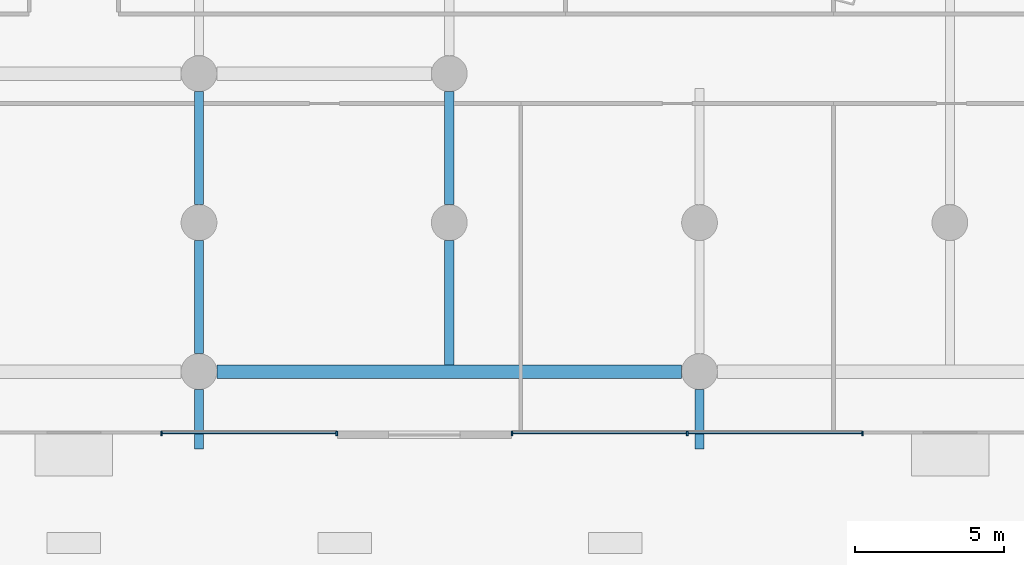
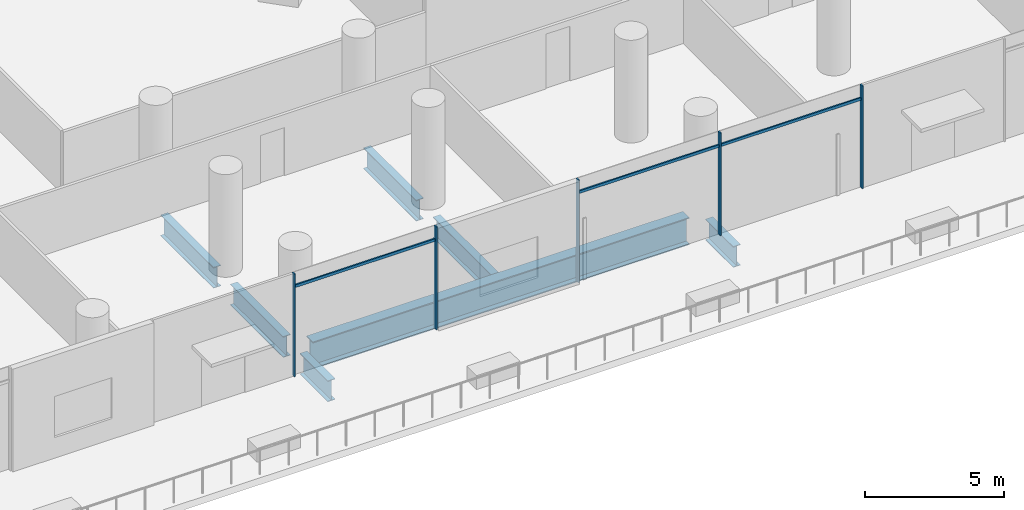
# One storey, part 9 of 43: 8 members, 7 beams, 1 element without a shape of its own.
"""IFC4 building model written with IfcOpenShell, lengths in metres."""

import ifcopenshell
import ifcopenshell.guid

model = None  # the IFC model being written
_history = None  # IfcOwnerHistory: only IFC2X3 demands one
_inside = {}  # id of a spatial element -> (the spatial element, [elements in it])
_under = {}  # id of a project, library or spatial element -> (it, [spatial elements below it])
_declared = {}  # id of a project -> (the project, [libraries it declares])
_typed = {}  # id of a type object -> (the type object, [elements of that type])
_made_of = {}  # id of a material, layer set ... -> (it, [elements and type objects made of it])


def new_model(schema):
    """Start an empty IFC model of exactly this schema.

    Asked for "IFC4X3", IfcOpenShell would pick the latest addendum, in which some entities
    have other attributes; the version numbers below select the first issue.
    IFC2X3 requires an IfcOwnerHistory on every rooted entity: one is made here for all.
    """
    global model, _history
    if schema == "IFC4X3":
        model = ifcopenshell.file(schema_version=(4, 3, 0, 0))
    else:
        model = ifcopenshell.file(schema=schema)
    _inside.clear()
    _under.clear()
    _declared.clear()
    _typed.clear()
    _made_of.clear()
    _history = None
    if model.schema == "IFC2X3":
        org = make("IfcOrganization", Name="unknown")
        user = make(
            "IfcPersonAndOrganization",
            ThePerson=make("IfcPerson", FamilyName="unknown"),
            TheOrganization=org,
        )
        app = make(
            "IfcApplication",
            ApplicationDeveloper=org,
            Version="unknown",
            ApplicationFullName="unknown",
            ApplicationIdentifier="unknown",
        )
        _history = make(
            "IfcOwnerHistory",
            OwningUser=user,
            OwningApplication=app,
            ChangeAction="ADDED",
            CreationDate=0,
        )
    return model


def make(cls, **values):
    """One entity of the class cls with the attributes given. An attribute that is None is left unset."""
    return model.create_entity(
        cls, **{name: value for name, value in values.items() if value is not None}
    )


def rooted(cls, **values):
    """An entity with a GlobalId (a new one), such as an element, a storey or a relation."""
    return make(cls, GlobalId=ifcopenshell.guid.new(), OwnerHistory=_history, **values)


def si_unit(unit_type, name, prefix=None):
    """IfcSIUnit, for example si_unit("LENGTHUNIT", "METRE", prefix="MILLI")."""
    return make("IfcSIUnit", UnitType=unit_type, Prefix=prefix, Name=name)


def assignment(units):
    """IfcUnitAssignment: the units of a project."""
    return None if units is None else make("IfcUnitAssignment", Units=units)


def point(xyz):
    """IfcCartesianPoint."""
    return None if xyz is None else make("IfcCartesianPoint", Coordinates=xyz)


def direction(xyz):
    """IfcDirection."""
    return None if xyz is None else make("IfcDirection", DirectionRatios=xyz)


def frame(location, z_axis=None, x_axis=None):
    """IfcAxis2Placement3D, a coordinate frame: its origin and axes. An axis left out is left unset."""
    return make(
        "IfcAxis2Placement3D",
        Location=point(location),
        Axis=direction(z_axis),
        RefDirection=direction(x_axis),
    )


def frame_2d(location, x_axis=None):
    """IfcAxis2Placement2D, a coordinate frame in the plane: its origin and x axis."""
    return make(
        "IfcAxis2Placement2D", Location=point(location), RefDirection=direction(x_axis)
    )


def origin():
    """The frame at (0, 0, 0) with its axes left unset."""
    return frame((0.0, 0.0, 0.0))


def origin_2d():
    """The frame at (0, 0) in the plane with its x axis left unset."""
    return frame_2d((0.0, 0.0))


def place(relative_to, where):
    """IfcLocalPlacement: puts the frame where relative to a parent placement (None: the world)."""
    return make(
        "IfcLocalPlacement", PlacementRelTo=relative_to, RelativePlacement=where
    )


def context(
    kind, dimensions, precision=None, world=None, true_north=None, identifier=None
):
    """IfcGeometricRepresentationContext, for example the 3D "Model" context."""
    return make(
        "IfcGeometricRepresentationContext",
        ContextIdentifier=identifier,
        ContextType=kind,
        CoordinateSpaceDimension=dimensions,
        Precision=precision,
        WorldCoordinateSystem=world,
        TrueNorth=true_north,
    )


def subcontext(parent, identifier, kind, view, scale=None):
    """IfcGeometricRepresentationSubContext, for example "Body" below "Model"."""
    return make(
        "IfcGeometricRepresentationSubContext",
        ContextIdentifier=identifier,
        ContextType=kind,
        ParentContext=parent,
        TargetScale=scale,
        TargetView=view,
    )


def project(units=None, contexts=None):
    """IfcProject with its units and contexts."""
    return rooted(
        "IfcProject",
        Name="project",
        RepresentationContexts=contexts,
        UnitsInContext=assignment(units),
    )


def spatial(cls, under=None, at=None, **own):
    """A site, building, storey or space (cls), placed at a placement, below another one or the project."""
    s = rooted(cls, ObjectPlacement=at, **own)
    if under is not None:
        _under.setdefault(under.id(), (under, []))[1].append(s)
    return s


def profile(cls, at=None, kind="AREA", **sizes):
    """A parametric profile (cls). Its sizes go by their IFC names, for example OverallWidth=200.0."""
    return make(cls, ProfileType=kind, Position=at, **sizes)


def rectangle(**sizes):
    """IfcRectangleProfileDef."""
    return profile("IfcRectangleProfileDef", **sizes)


def i_section(**sizes):
    """IfcIShapeProfileDef."""
    return profile("IfcIShapeProfileDef", **sizes)


def extrude(swept, where, along, depth):
    """IfcExtrudedAreaSolid: the profile swept, set in the frame where, extruded along a direction by depth."""
    return make(
        "IfcExtrudedAreaSolid",
        SweptArea=swept,
        Position=where,
        ExtrudedDirection=direction(along),
        Depth=depth,
    )


def shape(context_of_items, identifier, shape_type, items):
    """IfcShapeRepresentation: the items that make up one representation, for example the "Body"."""
    return make(
        "IfcShapeRepresentation",
        ContextOfItems=context_of_items,
        RepresentationIdentifier=identifier,
        RepresentationType=shape_type,
        Items=items,
    )


def material(Name=None, Category=None):
    """IfcMaterial."""
    return make("IfcMaterial", Name=Name, Category=Category)


def material_profile(
    of_material, cross_section, Name=None, Category=None, Priority=None
):
    """IfcMaterialProfile: a cross section and its material."""
    return make(
        "IfcMaterialProfile",
        Name=Name,
        Material=of_material,
        Profile=cross_section,
        Priority=Priority,
        Category=Category,
    )


def profile_set(profiles, Name=None, composite=None):
    """IfcMaterialProfileSet."""
    return make(
        "IfcMaterialProfileSet",
        Name=Name,
        MaterialProfiles=profiles,
        CompositeProfile=composite,
    )


def made_of(thing, what):
    """Note that an element or type object is made of a material, layer set ...; save() writes the relation."""
    if what is not None:
        _made_of.setdefault(what.id(), (what, []))[1].append(thing)
    return thing


def type_object(cls, material=None, **own):
    """A type object (cls), such as IfcWallType, which elements share."""
    return made_of(rooted(cls, **own), material)


def element(
    cls,
    number,
    at=None,
    inside=None,
    cuts=None,
    type_object=None,
    material=None,
    context=None,
    identifier="Body",
    shape_type=None,
    held_by="IfcProductDefinitionShape",
    body=None,
    shapes=None,
    **own,
):
    """One element of the class cls, such as IfcWall. Its Tag is "e" and its number.

    at: its placement. inside: the storey or other place that contains it. cuts: it is an
    opening in that element (IfcRelVoidsElement). A single representation is given by context,
    identifier, shape_type and body (its items); several are given by shapes. held_by: the class
    of the entity that holds the representations. save() writes the other relations.
    """
    e = rooted(cls, Tag="e%d" % number, ObjectPlacement=at, **own)
    if body is not None:
        shapes = [shape(context, identifier, shape_type, body)]
    if shapes is not None:
        e.Representation = make(held_by, Representations=shapes)
    if inside is not None:
        _inside.setdefault(inside.id(), (inside, []))[1].append(e)
    if cuts is not None:
        rooted(
            "IfcRelVoidsElement", RelatingBuildingElement=cuts, RelatedOpeningElement=e
        )
    if type_object is not None:
        _typed.setdefault(type_object.id(), (type_object, []))[1].append(e)
    return made_of(e, material)


def aggregate(whole, parts):
    """IfcRelAggregates: a whole, such as a stair, and the parts it consists of."""
    return rooted("IfcRelAggregates", RelatingObject=whole, RelatedObjects=parts)


def save(model, path):
    """Write the relations noted so far, then the file.

    IfcRelAggregates (storeys below a building ...), IfcRelContainedInSpatialStructure (elements
    in a storey), IfcRelDefinesByType, IfcRelAssociatesMaterial and IfcRelDeclares: one each for
    every whole, place, type object, material and project.
    """
    for whole, parts in _under.values():
        aggregate(whole, parts)
    for where, things in _inside.values():
        rooted(
            "IfcRelContainedInSpatialStructure",
            RelatedElements=things,
            RelatingStructure=where,
        )
    for kind, things in _typed.values():
        rooted("IfcRelDefinesByType", RelatedObjects=things, RelatingType=kind)
    for what, things in _made_of.values():
        rooted("IfcRelAssociatesMaterial", RelatedObjects=things, RelatingMaterial=what)
    for by, libraries in _declared.values():
        rooted("IfcRelDeclares", RelatingContext=by, RelatedDefinitions=libraries)
    model.write(path)


model = new_model("IFC4")

# Units and contexts
model_context = context("Model", 3, precision=1e-05, world=origin(), true_north=direction((0.0, 1.0)))
body_context = subcontext(model_context, "Body", "Model", "MODEL_VIEW")
ifc_project = project(units=[si_unit("LENGTHUNIT", "METRE"), si_unit("AREAUNIT", "SQUARE_METRE"), si_unit("VOLUMEUNIT", "CUBIC_METRE"), si_unit("PLANEANGLEUNIT", "RADIAN"), si_unit("MASSUNIT", "GRAM", prefix="KILO")], contexts=[model_context])

# Site, building, storey
site_placement = place(None, origin())
site = spatial("IfcSite", under=ifc_project, at=site_placement, CompositionType="ELEMENT")
building_placement = place(site_placement, origin())
building = spatial("IfcBuilding", under=site, at=building_placement, Name="Rimbun Link Towers", CompositionType="ELEMENT")
storey_placement = place(building_placement, frame((0.0, 0.0, 12.0)))
storey = spatial("IfcBuildingStorey", under=building, at=storey_placement, Name="L02", CompositionType="ELEMENT", Elevation=12.0)

# Curtain wall, members
ifc_material_1 = material(Name="Aluminium 6063-T6 and low-iron glass", Category="aluminium")
curtain_wall_type = type_object("IfcCurtainWallType", Name="CW3 podium shopfront", PredefinedType="NOTDEFINED", material=ifc_material_1)
curtain_wall_placement = place(storey_placement, origin())
curtain_wall = element("IfcCurtainWall", 1, at=curtain_wall_placement, inside=storey, type_object=curtain_wall_type, Name="CW3 L02 PD", PredefinedType="NOTDEFINED")
ifc_material_2 = material(Name="Aluminium 6063-T6", Category="aluminium")
ifc_material_profile_1 = material_profile(ifc_material_2, rectangle(XDim=0.14990234375, YDim=0.06005859375, at=origin_2d()), Name="MULLION 60X150")
ifc_profile_set_1 = profile_set([ifc_material_profile_1], Name="Aluminium 6063-T6")
member_type_1 = type_object("IfcMemberType", Name="CW3 mullion 60X150", PredefinedType="MULLION", material=ifc_profile_set_1)
member_1_placement = place(storey_placement, frame((2.941162109375, -38.074951171875, 0.0), z_axis=(0.0, 0.0, 1.0), x_axis=(0.0, -1.0, 0.0)))
member_1 = element("IfcMember", 2, at=member_1_placement, type_object=member_type_1, Name="CW3 mullion", PredefinedType="MULLION", context=body_context, shape_type="SweptSolid", body=[
    extrude(rectangle(XDim=0.14990234375, YDim=0.06005859375, at=origin_2d()), origin(), (0.0, 0.0, 1.0), 4.5),
])
member_2_placement = place(storey_placement, frame((8.823486328125, -38.074951171875, 0.0), z_axis=(0.0, 0.0, 1.0), x_axis=(0.0, -1.0, 0.0)))
member_2 = element("IfcMember", 3, at=member_2_placement, type_object=member_type_1, Name="CW3 mullion", PredefinedType="MULLION", context=body_context, shape_type="SweptSolid", body=[
    extrude(rectangle(XDim=0.14990234375, YDim=0.06005859375, at=origin_2d()), origin(), (0.0, 0.0, 1.0), 4.5),
])
member_3_placement = place(storey_placement, frame((14.705810546875, -38.074951171875, 0.0), z_axis=(0.0, 0.0, 1.0), x_axis=(0.0, -1.0, 0.0)))
member_3 = element("IfcMember", 4, at=member_3_placement, type_object=member_type_1, Name="CW3 mullion", PredefinedType="MULLION", context=body_context, shape_type="SweptSolid", body=[
    extrude(rectangle(XDim=0.14990234375, YDim=0.06005859375, at=origin_2d()), origin(), (0.0, 0.0, 1.0), 4.5),
])
member_4_placement = place(storey_placement, frame((20.588134765625, -38.074951171875, 0.0), z_axis=(0.0, 0.0, 1.0), x_axis=(0.0, -1.0, 0.0)))
member_4 = element("IfcMember", 5, at=member_4_placement, type_object=member_type_1, Name="CW3 mullion", PredefinedType="MULLION", context=body_context, shape_type="SweptSolid", body=[
    extrude(rectangle(XDim=0.14990234375, YDim=0.06005859375, at=origin_2d()), origin(), (0.0, 0.0, 1.0), 4.5),
])
member_5_placement = place(storey_placement, frame((26.470703125, -38.074951171875, 0.0), z_axis=(0.0, 0.0, 1.0), x_axis=(0.0, -1.0, 0.0)))
member_5 = element("IfcMember", 6, at=member_5_placement, type_object=member_type_1, Name="CW3 mullion", PredefinedType="MULLION", context=body_context, shape_type="SweptSolid", body=[
    extrude(rectangle(XDim=0.14990234375, YDim=0.06005859375, at=origin_2d()), origin(), (0.0, 0.0, 1.0), 4.5),
])
ifc_material_3 = material(Name="Aluminium 6063-T6", Category="aluminium")
ifc_material_profile_2 = material_profile(ifc_material_3, rectangle(XDim=0.06005859375, YDim=0.1201171875, at=origin_2d()), Name="TRANSOM 60X120")
ifc_profile_set_2 = profile_set([ifc_material_profile_2], Name="Aluminium 6063-T6")
member_type_2 = type_object("IfcMemberType", Name="CW3 transom 60X120", PredefinedType="USERDEFINED", material=ifc_profile_set_2)
member_6_placement = place(storey_placement, frame((8.79345703125, -38.053955078125, 3.89990234375), z_axis=(-1.0, 0.0, 0.0), x_axis=(0.0, -1.0, 0.0)))
member_6 = element("IfcMember", 7, at=member_6_placement, type_object=member_type_2, Name="CW3 transom", ObjectType="TRANSOM", PredefinedType="USERDEFINED", context=body_context, shape_type="SweptSolid", body=[
    extrude(rectangle(XDim=0.06005859375, YDim=0.1201171875, at=origin_2d()), origin(), (0.0, 0.0, 1.0), 5.822265625),
])
member_7_placement = place(storey_placement, frame((20.558349609375, -38.053955078125, 3.89990234375), z_axis=(-1.0, 0.0, 0.0), x_axis=(0.0, -1.0, 0.0)))
member_7 = element("IfcMember", 8, at=member_7_placement, type_object=member_type_2, Name="CW3 transom", ObjectType="TRANSOM", PredefinedType="USERDEFINED", context=body_context, shape_type="SweptSolid", body=[
    extrude(rectangle(XDim=0.06005859375, YDim=0.1201171875, at=origin_2d()), origin(), (0.0, 0.0, 1.0), 5.822509765625),
])
member_8_placement = place(storey_placement, frame((26.440673828125, -38.053955078125, 3.89990234375), z_axis=(-1.0, 0.0, 0.0), x_axis=(0.0, -1.0, 0.0)))
member_8 = element("IfcMember", 9, at=member_8_placement, type_object=member_type_2, Name="CW3 transom", ObjectType="TRANSOM", PredefinedType="USERDEFINED", context=body_context, shape_type="SweptSolid", body=[
    extrude(rectangle(XDim=0.06005859375, YDim=0.1201171875, at=origin_2d()), origin(), (0.0, 0.0, 1.0), 5.822509765625),
])
aggregate(curtain_wall, [member_1, member_2, member_3, member_4, member_5, member_6, member_7, member_8])

# Beams
ifc_material_4 = material(Name="Steel S355J2", Category="steel")
ifc_material_profile_3 = material_profile(ifc_material_4, i_section(OverallWidth=0.449951171875, OverallDepth=1.199951171875, WebThickness=0.030029296875, FlangeThickness=0.044921875, at=origin_2d()), Name="PG 1200x450x30/45")
ifc_profile_set_3 = profile_set([ifc_material_profile_3], Name="Steel S355J2")
beam_type_1 = type_object("IfcBeamType", Name="PG 1200x450x30/45", PredefinedType="BEAM", material=ifc_profile_set_3)
beam_1_placement = place(storey_placement, frame((4.800048828125, -36.0, -0.89990234375), z_axis=(1.0, 0.0, 0.0), x_axis=(0.0, 1.0, 0.0)))
element("IfcBeam", 10, at=beam_1_placement, inside=storey, type_object=beam_type_1, Name="Grid beam L02 -36.0", PredefinedType="BEAM", context=body_context, shape_type="SweptSolid", body=[
    extrude(i_section(OverallWidth=0.449951171875, OverallDepth=1.199951171875, WebThickness=0.030029296875, FlangeThickness=0.044921875, at=origin_2d()), origin(), (0.0, 0.0, 1.0), 15.599853515625),
])
ifc_material_5 = material(Name="Steel S355J2", Category="steel")
ifc_material_profile_4 = material_profile(ifc_material_5, i_section(OverallWidth=0.305419921875, OverallDepth=0.91845703125, WebThickness=0.017333984375, FlangeThickness=0.02783203125, at=origin_2d()), Name="UB 914x305x253")
ifc_profile_set_4 = profile_set([ifc_material_profile_4], Name="Steel S355J2")
beam_type_2 = type_object("IfcBeamType", Name="UB 914x305x253", PredefinedType="BEAM", material=ifc_profile_set_4)
beam_2_placement = place(storey_placement, frame((4.199951171875, -38.60009765625, -0.75927734375), z_axis=(0.0, 1.0, 0.0), x_axis=(-1.0, 0.0, 0.0)))
element("IfcBeam", 11, at=beam_2_placement, inside=storey, type_object=beam_type_2, Name="Grid beam L02 +4.2", PredefinedType="BEAM", context=body_context, shape_type="SweptSolid", body=[
    extrude(i_section(OverallWidth=0.305419921875, OverallDepth=0.91845703125, WebThickness=0.017333984375, FlangeThickness=0.02783203125, at=origin_2d()), origin(), (0.0, 0.0, 1.0), 2.0),
])
for number, where, z_axis, x_axis, name in (
    (12, (4.199951171875, -35.39990234375, -0.75927734375), (0.0, 1.0, 0.0), (-1.0, 0.0, 0.0), "Grid beam L02 +4.2"),
    (13, (4.199951171875, -30.39990234375, -0.75927734375), (0.0, 1.0, 0.0), (-1.0, 0.0, 0.0), "Grid beam L02 +4.2"),
):
    element("IfcBeam", number, at=place(storey_placement, frame(where, z_axis=z_axis, x_axis=x_axis)), inside=storey, type_object=beam_type_2, Name=name, PredefinedType="BEAM", context=body_context, shape_type="SweptSolid", body=[
        extrude(i_section(OverallWidth=0.305419921875, OverallDepth=0.91845703125, WebThickness=0.017333984375, FlangeThickness=0.02783203125, at=origin_2d()), origin(), (0.0, 0.0, 1.0), 3.7998046875),
    ])
beam_3_placement = place(storey_placement, frame((12.60009765625, -35.77490234375, -0.75927734375), z_axis=(0.0, 1.0, 0.0), x_axis=(-1.0, 0.0, 0.0)))
element("IfcBeam", 14, at=beam_3_placement, inside=storey, type_object=beam_type_2, Name="Grid beam L02 +12.6", PredefinedType="BEAM", context=body_context, shape_type="SweptSolid", body=[
    extrude(i_section(OverallWidth=0.305419921875, OverallDepth=0.91845703125, WebThickness=0.017333984375, FlangeThickness=0.02783203125, at=origin_2d()), origin(), (0.0, 0.0, 1.0), 4.1748046875),
])
beam_4_placement = place(storey_placement, frame((12.60009765625, -30.39990234375, -0.75927734375), z_axis=(0.0, 1.0, 0.0), x_axis=(-1.0, 0.0, 0.0)))
element("IfcBeam", 15, at=beam_4_placement, inside=storey, type_object=beam_type_2, Name="Grid beam L02 +12.6", PredefinedType="BEAM", context=body_context, shape_type="SweptSolid", body=[
    extrude(i_section(OverallWidth=0.305419921875, OverallDepth=0.91845703125, WebThickness=0.017333984375, FlangeThickness=0.02783203125, at=origin_2d()), origin(), (0.0, 0.0, 1.0), 3.7998046875),
])
beam_5_placement = place(storey_placement, frame((21.0, -38.60009765625, -0.75927734375), z_axis=(0.0, 1.0, 0.0), x_axis=(-1.0, 0.0, 0.0)))
element("IfcBeam", 16, at=beam_5_placement, inside=storey, type_object=beam_type_2, Name="Grid beam L02 +21.0", PredefinedType="BEAM", context=body_context, shape_type="SweptSolid", body=[
    extrude(i_section(OverallWidth=0.305419921875, OverallDepth=0.91845703125, WebThickness=0.017333984375, FlangeThickness=0.02783203125, at=origin_2d()), origin(), (0.0, 0.0, 1.0), 2.0),
])

save(model, "model.ifc")
